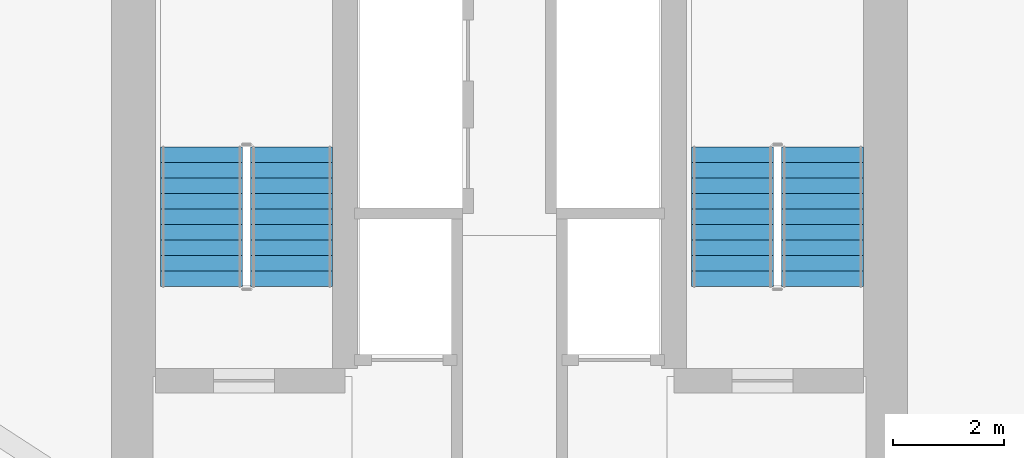
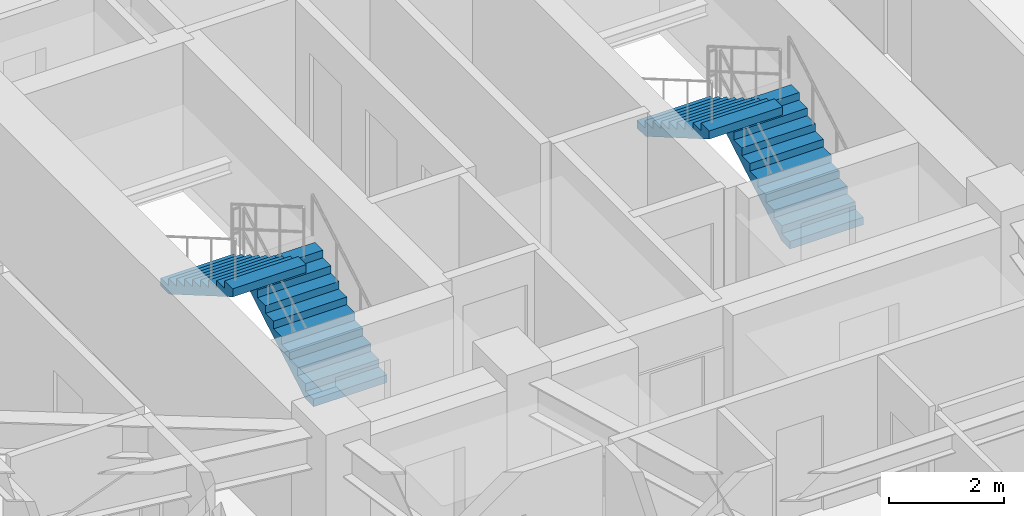
# One storey, part 37 of 39: 4 stair flights, 2 elements without a shape of their own.
"""IFC4 building model written with IfcOpenShell, lengths in metres."""

from ifc_helpers import new_model, si_unit, direction, frame, origin, place, context, subcontext, project, spatial, polyline, outline, extrude, material, type_object, element, aggregate, save


model = new_model("IFC4")

# Units and contexts
model_context = context("Model", 3, precision=1e-05, world=origin(), true_north=direction((0.0, 1.0)))
body_context = subcontext(model_context, "Body", "Model", "MODEL_VIEW")
ifc_project = project(units=[si_unit("LENGTHUNIT", "METRE"), si_unit("AREAUNIT", "SQUARE_METRE"), si_unit("VOLUMEUNIT", "CUBIC_METRE"), si_unit("PLANEANGLEUNIT", "RADIAN"), si_unit("MASSUNIT", "GRAM", prefix="KILO")], contexts=[model_context])

# Site, building, storey
site_placement = place(None, origin())
site = spatial("IfcSite", under=ifc_project, at=site_placement, CompositionType="ELEMENT")
building_placement = place(site_placement, origin())
building = spatial("IfcBuilding", under=site, at=building_placement, Name="Veraguas Prism Commons", CompositionType="ELEMENT")
storey_placement = place(building_placement, frame((0.0, 0.0, 77.10009765625)))
storey = spatial("IfcBuildingStorey", under=building, at=storey_placement, Name="L21", CompositionType="ELEMENT", Elevation=77.10009765625)

# Stair, stair flights
ifc_material = material(Name="Precast concrete C45/55", Category="concrete")
stair_type = type_object("IfcStairType", Name="Dogleg Core Stair 1480W 20R 05", PredefinedType="HALF_TURN_STAIR", material=ifc_material)
stair_1_placement = place(storey_placement, origin())
stair_1 = element("IfcStair", 1, at=stair_1_placement, inside=storey, type_object=stair_type, Name="Protected Exit Stair ST-01 L21", PredefinedType="HALF_TURN_STAIR")
stair_flight_type = type_object("IfcStairFlightType", Name="Precast Stair Flight 1480W 10R 05", PredefinedType="STRAIGHT", material=ifc_material)
stair_flight_1_placement = place(storey_placement, frame((20.06005859375, 21.280029296875, 0.0), z_axis=(0.0, 0.0, 1.0), x_axis=(0.0, 1.0, 0.0)))
stair_flight_1 = element("IfcStairFlight", 2, at=stair_flight_1_placement, type_object=stair_flight_type, Name="ST-05 Flight 1", NumberOfRisers=10, NumberOfTreads=9, PredefinedType="STRAIGHT", RiserHeight=0.1625, TreadLength=0.28, context=body_context, shape_type="SweptSolid", body=[
    extrude(outline(polyline([(0.0, 0.0), (0.0, 0.16259765625), (0.280029296875, 0.16259765625), (0.280029296875, 0.324951171875), (0.56005859375, 0.324951171875), (0.56005859375, 0.487548828125), (0.840087890625, 0.487548828125), (0.840087890625, 0.64990234375), (1.1201171875, 0.64990234375), (1.1201171875, 0.8125), (1.39990234375, 0.8125), (1.39990234375, 0.97509765625), (1.679931640625, 0.97509765625), (1.679931640625, 1.137451171875), (1.9599609375, 1.137451171875), (1.9599609375, 1.300048828125), (2.239990234375, 1.300048828125), (2.239990234375, 1.46240234375), (2.52001953125, 1.46240234375), (2.52001953125, 1.625), (2.52001953125, 1.2890625), (0.298583984375, 0.0), (0.0, 0.0)])), frame((0.0, 0.739990234375, 0.0), z_axis=(0.0, -1.0, 0.0), x_axis=(1.0, 0.0, 0.0)), (0.0, 0.0, 1.0), 1.47998046875),
])
stair_flight_2_placement = place(storey_placement, frame((18.429931640625, 23.800048828125, 1.625), z_axis=(0.0, 0.0, 1.0), x_axis=(0.0, -1.0, 0.0)))
stair_flight_2 = element("IfcStairFlight", 3, at=stair_flight_2_placement, type_object=stair_flight_type, Name="ST-05 Flight 2", NumberOfRisers=10, NumberOfTreads=9, PredefinedType="STRAIGHT", RiserHeight=0.1625, TreadLength=0.28, context=body_context, shape_type="SweptSolid", body=[
    extrude(outline(polyline([(0.0, 0.0), (0.0, 0.16259765625), (0.280029296875, 0.16259765625), (0.280029296875, 0.324951171875), (0.56005859375, 0.324951171875), (0.56005859375, 0.487548828125), (0.840087890625, 0.487548828125), (0.840087890625, 0.64990234375), (1.1201171875, 0.64990234375), (1.1201171875, 0.8125), (1.39990234375, 0.8125), (1.39990234375, 0.97509765625), (1.679931640625, 0.97509765625), (1.679931640625, 1.137451171875), (1.9599609375, 1.137451171875), (1.9599609375, 1.300048828125), (2.239990234375, 1.300048828125), (2.239990234375, 1.46240234375), (2.52001953125, 1.46240234375), (2.52001953125, 1.625), (2.52001953125, 1.2890625), (0.298583984375, 0.0), (0.0, 0.0)])), frame((0.0, 0.739990234375, 0.0), z_axis=(0.0, -1.0, 0.0), x_axis=(1.0, 0.0, 0.0)), (0.0, 0.0, 1.0), 1.47998046875),
])
aggregate(stair_1, [stair_flight_1, stair_flight_2])

stair_2_placement = place(storey_placement, origin())
stair_2 = element("IfcStair", 4, at=stair_2_placement, inside=storey, type_object=stair_type, Name="Protected Exit Stair ST-02 L21", PredefinedType="HALF_TURN_STAIR")
stair_flight_3_placement = place(storey_placement, frame((29.659912109375, 21.280029296875, 0.0), z_axis=(0.0, 0.0, 1.0), x_axis=(0.0, 1.0, 0.0)))
stair_flight_3 = element("IfcStairFlight", 5, at=stair_flight_3_placement, type_object=stair_flight_type, Name="ST-05 Flight 1", NumberOfRisers=10, NumberOfTreads=9, PredefinedType="STRAIGHT", RiserHeight=0.1625, TreadLength=0.28, context=body_context, shape_type="SweptSolid", body=[
    extrude(outline(polyline([(0.0, 0.0), (0.0, 0.16259765625), (0.280029296875, 0.16259765625), (0.280029296875, 0.324951171875), (0.56005859375, 0.324951171875), (0.56005859375, 0.487548828125), (0.840087890625, 0.487548828125), (0.840087890625, 0.64990234375), (1.1201171875, 0.64990234375), (1.1201171875, 0.8125), (1.39990234375, 0.8125), (1.39990234375, 0.97509765625), (1.679931640625, 0.97509765625), (1.679931640625, 1.137451171875), (1.9599609375, 1.137451171875), (1.9599609375, 1.300048828125), (2.239990234375, 1.300048828125), (2.239990234375, 1.46240234375), (2.52001953125, 1.46240234375), (2.52001953125, 1.625), (2.52001953125, 1.2890625), (0.298583984375, 0.0), (0.0, 0.0)])), frame((0.0, 0.739990234375, 0.0), z_axis=(0.0, -1.0, 0.0), x_axis=(1.0, 0.0, 0.0)), (0.0, 0.0, 1.0), 1.47998046875),
])
stair_flight_4_placement = place(storey_placement, frame((28.030029296875, 23.800048828125, 1.625), z_axis=(0.0, 0.0, 1.0), x_axis=(0.0, -1.0, 0.0)))
stair_flight_4 = element("IfcStairFlight", 6, at=stair_flight_4_placement, type_object=stair_flight_type, Name="ST-05 Flight 2", NumberOfRisers=10, NumberOfTreads=9, PredefinedType="STRAIGHT", RiserHeight=0.1625, TreadLength=0.28, context=body_context, shape_type="SweptSolid", body=[
    extrude(outline(polyline([(0.0, 0.0), (0.0, 0.16259765625), (0.280029296875, 0.16259765625), (0.280029296875, 0.324951171875), (0.56005859375, 0.324951171875), (0.56005859375, 0.487548828125), (0.840087890625, 0.487548828125), (0.840087890625, 0.64990234375), (1.1201171875, 0.64990234375), (1.1201171875, 0.8125), (1.39990234375, 0.8125), (1.39990234375, 0.97509765625), (1.679931640625, 0.97509765625), (1.679931640625, 1.137451171875), (1.9599609375, 1.137451171875), (1.9599609375, 1.300048828125), (2.239990234375, 1.300048828125), (2.239990234375, 1.46240234375), (2.52001953125, 1.46240234375), (2.52001953125, 1.625), (2.52001953125, 1.2890625), (0.298583984375, 0.0), (0.0, 0.0)])), frame((0.0, 0.739990234375, 0.0), z_axis=(0.0, -1.0, 0.0), x_axis=(1.0, 0.0, 0.0)), (0.0, 0.0, 1.0), 1.47998046875),
])
aggregate(stair_2, [stair_flight_3, stair_flight_4])

save(model, "model.ifc")
